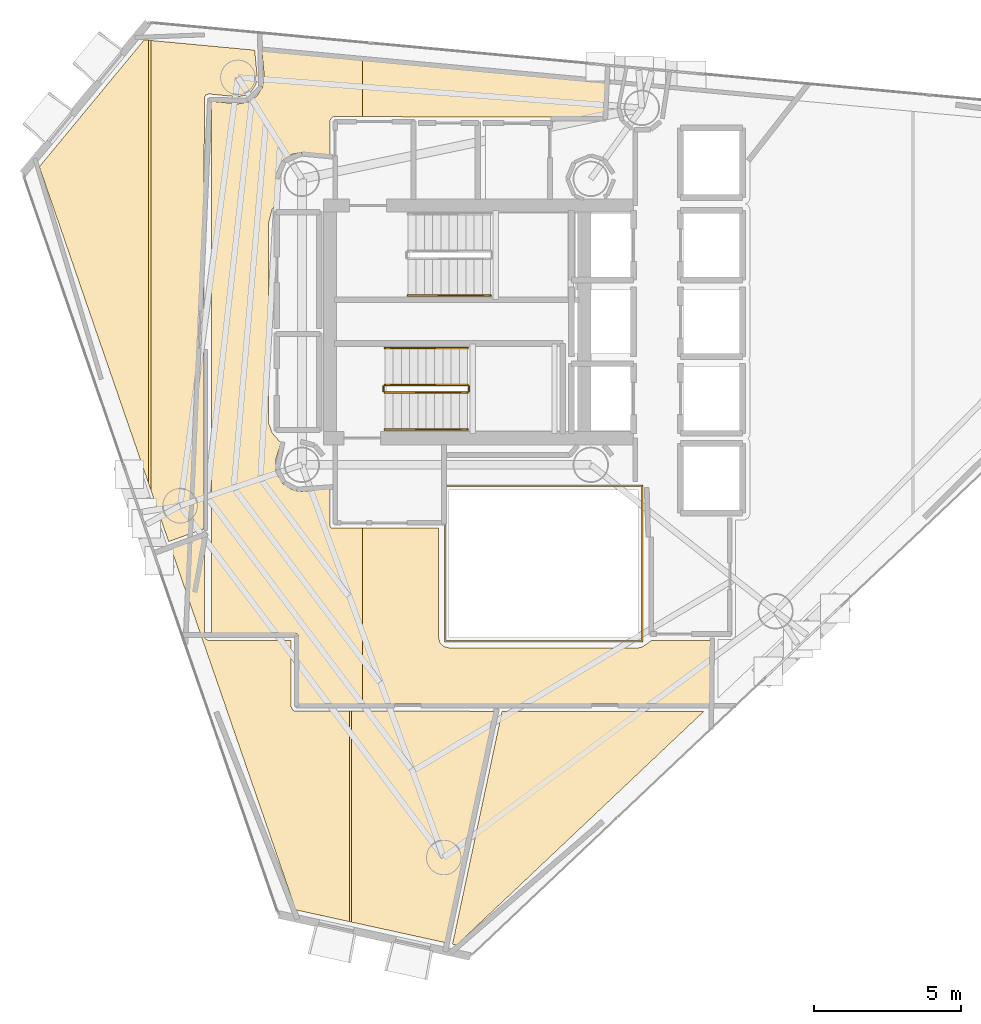
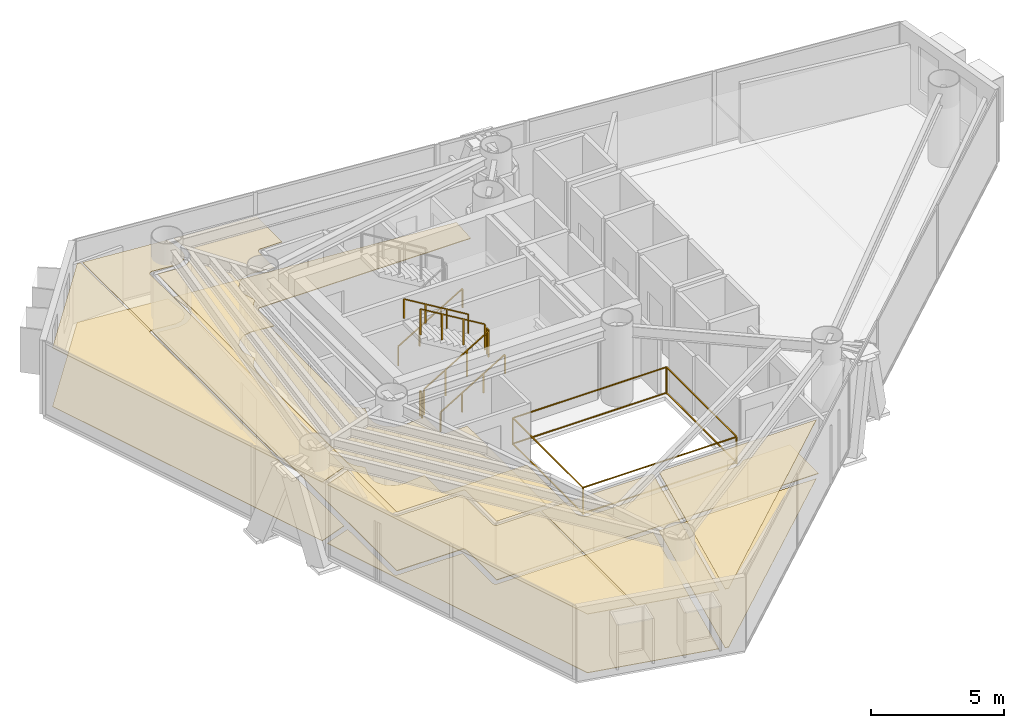
# One storey, part 19 of 20: 10 coverings, 8 railings.
"""IFC4 building model written with IfcOpenShell, lengths in metres."""

from ifc_helpers import new_model, si_unit, direction, frame, origin, origin_2d, place, context, subcontext, project, spatial, polyline, rectangle, outline, extrude, material, layer, layer_set, type_object, element, save


model = new_model("IFC4")

# Units and contexts
model_context = context("Model", 3, precision=1e-05, world=origin(), true_north=direction((0.0, 1.0)))
body_context = subcontext(model_context, "Body", "Model", "MODEL_VIEW")
ifc_project = project(units=[si_unit("LENGTHUNIT", "METRE"), si_unit("AREAUNIT", "SQUARE_METRE"), si_unit("VOLUMEUNIT", "CUBIC_METRE"), si_unit("PLANEANGLEUNIT", "RADIAN"), si_unit("MASSUNIT", "GRAM", prefix="KILO")], contexts=[model_context])

# Site, building, storey
site_placement = place(None, origin())
site = spatial("IfcSite", under=ifc_project, at=site_placement, CompositionType="ELEMENT")
building_placement = place(site_placement, origin())
building = spatial("IfcBuilding", under=site, at=building_placement, Name="Qianvela Tower", CompositionType="ELEMENT")
storey_placement = place(building_placement, frame((0.0, 0.0, 226.199951171875)))
storey = spatial("IfcBuildingStorey", under=building, at=storey_placement, Name="L58", CompositionType="ELEMENT", Elevation=226.199951171875)

# Coverings
ifc_material_1 = material(Name="Perforated Mineral Acoustic Ceiling Tile")
ifc_layer_1 = layer(ifc_material_1, 0.02490234375)
ifc_layer_set_1 = layer_set([ifc_layer_1], Name="Perforated Mineral Acoustic Ceiling Tile")
covering_type_1 = type_object("IfcCoveringType", Name="COV-CEIL-ACOUSTIC-25", PredefinedType="CEILING", material=ifc_layer_set_1)
covering_1_placement = place(storey_placement, frame((0.0, 0.0, 2.695068359375)))
element("IfcCovering", 1, at=covering_1_placement, inside=storey, type_object=covering_type_1, Name="L58 Acoustic Ceiling Bay 1 L58 Floor Corridor", PredefinedType="CEILING", context=body_context, shape_type="SweptSolid", body=[
    extrude(outline(polyline([(27.259033203125, 36.640380859375), (27.262451171875, 36.647705078125), (27.26513671875, 36.655029296875), (27.26708984375, 36.66259765625), (27.32958984375, 36.976318359375), (27.33056640625, 36.984130859375), (27.3310546875, 36.991943359375), (27.33056640625, 36.999755859375), (27.24267578125, 37.89306640625), (30.654296875, 37.57568359375), (30.654296875, 35.659423828125), (29.694091796875, 35.66162109375), (29.686767578125, 35.661376953125), (29.67919921875, 35.660400390625), (29.672119140625, 35.65869140625), (29.6650390625, 35.65625), (29.658203125, 35.6533203125), (29.651611328125, 35.649658203125), (29.6455078125, 35.6455078125), (29.639892578125, 35.640625), (29.634521484375, 35.635498046875), (29.57861328125, 35.57373046875), (29.573974609375, 35.568115234375), (29.56982421875, 35.56201171875), (29.56640625, 35.555419921875), (29.5634765625, 35.548828125), (29.56103515625, 35.541748046875), (29.559326171875, 35.53466796875), (29.558349609375, 35.52734375), (29.55810546875, 35.52001953125), (29.55810546875, 34.35595703125), (28.60791015625, 34.44970703125), (28.60009765625, 34.449951171875), (28.59228515625, 34.44970703125), (28.58447265625, 34.448486328125), (28.2705078125, 34.385986328125), (28.262939453125, 34.384033203125), (28.255615234375, 34.381591796875), (28.24853515625, 34.378173828125), (28.24169921875, 34.3740234375), (27.9755859375, 34.1962890625), (27.969482421875, 34.191650390625), (27.963623046875, 34.186279296875), (27.958251953125, 34.1806640625), (27.95361328125, 34.17431640625), (27.77587890625, 33.908203125), (27.77197265625, 33.901611328125), (27.7685546875, 33.894287109375), (27.765869140625, 33.886962890625), (27.763916015625, 33.87939453125), (27.701416015625, 33.565673828125), (27.700439453125, 33.557861328125), (27.699951171875, 33.550048828125), (27.700439453125, 33.542236328125), (27.716064453125, 33.382080078125), (27.71728515625, 33.37451171875), (27.71923828125, 33.36669921875), (27.865478515625, 32.884521484375), (27.60107421875, 32.52685546875), (27.5966796875, 32.5205078125), (27.593017578125, 32.513427734375), (27.590087890625, 32.50634765625), (27.587890625, 32.4990234375), (27.472412109375, 32.0458984375), (27.47119140625, 32.039306640625), (27.47021484375, 32.03271484375), (27.469970703125, 32.026123046875), (27.469970703125, 25.291259765625), (27.47021484375, 25.2841796875), (27.47119140625, 25.27734375), (27.47265625, 25.2705078125), (27.474853515625, 25.263916015625), (27.59326171875, 24.938232421875), (27.59619140625, 24.93115234375), (27.599853515625, 24.92431640625), (27.604248046875, 24.91796875), (27.609130859375, 24.911865234375), (27.89111328125, 24.599853515625), (27.71923828125, 24.033203125), (27.71728515625, 24.025634765625), (27.716064453125, 24.017822265625), (27.7158203125, 24.010009765625), (27.7158203125, 23.68994140625), (27.716064453125, 23.68212890625), (27.71728515625, 23.67431640625), (27.71923828125, 23.666748046875), (27.765869140625, 23.512939453125), (27.7685546875, 23.505615234375), (27.77197265625, 23.49853515625), (27.77587890625, 23.49169921875), (27.95361328125, 23.2255859375), (27.958251953125, 23.219482421875), (27.963623046875, 23.213623046875), (27.969482421875, 23.208251953125), (27.9755859375, 23.20361328125), (28.24169921875, 23.02587890625), (28.24853515625, 23.02197265625), (28.255615234375, 23.0185546875), (28.262939453125, 23.015869140625), (28.416748046875, 22.96923828125), (28.42431640625, 22.96728515625), (28.43212890625, 22.966064453125), (28.59228515625, 22.950439453125), (28.60009765625, 22.949951171875), (28.60791015625, 22.950439453125), (29.55810546875, 23.0439453125), (29.55810546875, 21.780029296875), (29.558349609375, 21.772216796875), (29.5595703125, 21.764404296875), (29.561279296875, 21.7568359375), (29.564208984375, 21.74951171875), (29.5673828125, 21.7421875), (29.571533203125, 21.735595703125), (29.576171875, 21.729248046875), (29.581298828125, 21.723388671875), (29.587158203125, 21.71826171875), (29.593505859375, 21.71337890625), (29.600341796875, 21.70947265625), (29.607421875, 21.7060546875), (29.61474609375, 21.703369140625), (29.622314453125, 21.701416015625), (29.630126953125, 21.700439453125), (29.637939453125, 21.699951171875), (30.654296875, 21.699951171875), (30.654296875, 15.72998046875), (28.47998046875, 15.72998046875), (28.47998046875, 18.050048828125), (28.4794921875, 18.057861328125), (28.478515625, 18.065673828125), (28.4765625, 18.0732421875), (28.473876953125, 18.08056640625), (28.470703125, 18.087646484375), (28.466552734375, 18.094482421875), (28.4619140625, 18.100830078125), (28.45654296875, 18.106689453125), (28.45068359375, 18.11181640625), (28.4443359375, 18.116455078125), (28.437744140625, 18.12060546875), (28.4306640625, 18.123779296875), (28.423095703125, 18.126708984375), (28.41552734375, 18.12841796875), (28.40771484375, 18.129638671875), (28.39990234375, 18.1298828125), (25.530029296875, 18.1298828125), (25.530029296875, 36.180419921875), (26.423095703125, 36.09228515625), (26.430908203125, 36.092041015625), (26.438720703125, 36.09228515625), (26.446533203125, 36.093505859375), (26.760498046875, 36.156005859375), (26.76806640625, 36.157958984375), (26.775390625, 36.160400390625), (26.782470703125, 36.163818359375), (26.789306640625, 36.16796875), (27.055419921875, 36.345703125), (27.0615234375, 36.350341796875), (27.0673828125, 36.355712890625), (27.07275390625, 36.361328125), (27.077392578125, 36.36767578125), (27.255126953125, 36.6337890625), (27.259033203125, 36.640380859375)])), origin(), (0.0, 0.0, 1.0), 0.02490234375),
])
covering_2_placement = place(storey_placement, frame((0.0, 0.0, 2.695068359375)))
element("IfcCovering", 2, at=covering_2_placement, inside=storey, type_object=covering_type_1, Name="L58 Acoustic Ceiling Bay 1 Social Galley Kitchen L58-01", PredefinedType="CEILING", context=body_context, shape_type="SweptSolid", body=[
    extrude(outline(polyline([(25.290283203125, 21.42626953125), (25.29931640625, 18.01220703125), (25.2998046875, 18.00390625), (25.30126953125, 17.99560546875), (25.30322265625, 17.98779296875), (25.30615234375, 17.97998046875), (25.309814453125, 17.972900390625), (25.314208984375, 17.9658203125), (25.3193359375, 17.95947265625), (25.3251953125, 17.95361328125), (25.33154296875, 17.9482421875), (25.33837890625, 17.943603515625), (25.408935546875, 17.9013671875), (25.41650390625, 17.897216796875), (25.424560546875, 17.894287109375), (25.432861328125, 17.891845703125), (25.44140625, 17.890380859375), (25.449951171875, 17.889892578125), (28.239990234375, 17.889892578125), (28.239990234375, 15.64990234375), (28.240478515625, 15.64208984375), (28.241455078125, 15.634521484375), (28.243408203125, 15.626708984375), (28.24609375, 15.619384765625), (28.24951171875, 15.6123046875), (28.284912109375, 15.5458984375), (28.2890625, 15.5390625), (28.293701171875, 15.53271484375), (28.299072265625, 15.52685546875), (28.3046875, 15.521728515625), (28.31103515625, 15.51708984375), (28.31787109375, 15.512939453125), (28.32470703125, 15.509521484375), (28.332275390625, 15.507080078125), (28.33984375, 15.5048828125), (28.34765625, 15.50390625), (28.35546875, 15.50341796875), (30.21240234375, 15.499755859375), (30.21240234375, 8.3564453125), (28.39404296875, 8.75439453125), (24.16259765625, 21.015869140625), (25.290283203125, 21.42626953125)])), origin(), (0.0, 0.0, 1.0), 0.02490234375),
])
covering_3_placement = place(storey_placement, frame((0.0, 0.0, 2.695068359375)))
element("IfcCovering", 3, at=covering_3_placement, inside=storey, type_object=covering_type_1, Name="L58 Acoustic Ceiling Bay 2 Social Galley Kitchen L58-01", PredefinedType="CEILING", context=body_context, shape_type="SweptSolid", body=[
    extrude(outline(polyline([(35.141357421875, 15.490234375), (33.473388671875, 7.642578125), (30.29248046875, 8.3388671875), (30.29248046875, 15.499755859375), (35.141357421875, 15.490234375)])), origin(), (0.0, 0.0, 1.0), 0.02490234375),
])
covering_4_placement = place(storey_placement, frame((0.0, 0.0, 2.695068359375)))
element("IfcCovering", 4, at=covering_4_placement, inside=storey, type_object=covering_type_1, Name="L58 Acoustic Ceiling Shared Communal Kitchen L58-02", PredefinedType="CEILING", context=body_context, shape_type="SweptSolid", body=[
    extrude(outline(polyline([(35.390869140625, 15.489990234375), (42.23779296875, 15.489990234375), (33.850341796875, 7.560302734375), (33.711669921875, 7.590576171875), (35.390869140625, 15.489990234375)])), origin(), (0.0, 0.0, 1.0), 0.02490234375),
])
covering_5_placement = place(storey_placement, frame((0.0, 0.0, 2.695068359375)))
element("IfcCovering", 5, at=covering_5_placement, inside=storey, type_object=covering_type_1, Name="L58 Acoustic Ceiling Bay 1 Campus Convenience Shop L58-05", PredefinedType="CEILING", context=body_context, shape_type="SweptSolid", body=[
    extrude(outline(polyline([(23.399658203125, 38.25048828125), (23.399658203125, 23.226318359375), (19.69580078125, 33.958740234375), (23.254150390625, 38.263916015625), (23.399658203125, 38.25048828125)])), origin(), (0.0, 0.0, 1.0), 0.02490234375),
])
covering_6_placement = place(storey_placement, frame((0.0, 0.0, 2.695068359375)))
element("IfcCovering", 6, at=covering_6_placement, inside=storey, type_object=covering_type_1, Name="L58 Acoustic Ceiling Bay 2 Campus Convenience Shop L58-05", PredefinedType="CEILING", context=body_context, shape_type="SweptSolid", body=[
    extrude(outline(polyline([(27.00048828125, 37.91552734375), (27.089599609375, 37.0), (27.037841796875, 36.740478515625), (26.8955078125, 36.527587890625), (26.682373046875, 36.385009765625), (26.423095703125, 36.33349609375), (25.457763671875, 36.42822265625), (25.448974609375, 36.4287109375), (25.440185546875, 36.427978515625), (25.431396484375, 36.426513671875), (25.423095703125, 36.423828125), (25.372314453125, 36.40576171875), (25.365478515625, 36.403076171875), (25.35888671875, 36.399658203125), (25.352783203125, 36.3955078125), (25.346923828125, 36.39111328125), (25.341552734375, 36.385986328125), (25.3369140625, 36.38037109375), (25.33251953125, 36.37451171875), (25.32861328125, 36.3681640625), (25.2998046875, 36.314208984375), (25.29638671875, 36.30712890625), (25.293701171875, 36.2998046875), (25.2919921875, 36.2919921875), (25.290771484375, 36.2841796875), (25.290283203125, 36.276611328125), (25.2900390625, 21.685791015625), (24.0830078125, 21.246337890625), (23.479736328125, 22.99462890625), (23.479736328125, 38.242919921875), (27.00048828125, 37.91552734375)])), origin(), (0.0, 0.0, 1.0), 0.02490234375),
])
ifc_material_2 = material(Name="Engineered Acoustic Oak Timber Flooring", Category="wood")
ifc_layer_2 = layer(ifc_material_2, 0.02001953125)
ifc_layer_set_2 = layer_set([ifc_layer_2], Name="Engineered Acoustic Oak Timber Flooring")
covering_type_2 = type_object("IfcCoveringType", Name="COV-FLOOR-OAK-20", PredefinedType="FLOORING", material=ifc_layer_set_2)
covering_7_placement = place(storey_placement, origin())
element("IfcCovering", 7, at=covering_7_placement, inside=storey, type_object=covering_type_2, Name="L58 Finish Flooring Social Galley Kitchen L58-01", PredefinedType="FLOORING", context=body_context, shape_type="SweptSolid", body=[
    extrude(outline(polyline([(24.16259765625, 21.015869140625), (25.290283203125, 21.42626953125), (25.29931640625, 18.01220703125), (25.2998046875, 18.00390625), (25.30126953125, 17.99560546875), (25.30322265625, 17.98779296875), (25.30615234375, 17.97998046875), (25.309814453125, 17.972900390625), (25.314208984375, 17.9658203125), (25.3193359375, 17.95947265625), (25.3251953125, 17.95361328125), (25.33154296875, 17.9482421875), (25.33837890625, 17.943603515625), (25.408935546875, 17.9013671875), (25.41650390625, 17.897216796875), (25.424560546875, 17.894287109375), (25.432861328125, 17.891845703125), (25.44140625, 17.890380859375), (25.449951171875, 17.889892578125), (28.239990234375, 17.889892578125), (28.239990234375, 15.64990234375), (28.240478515625, 15.64208984375), (28.241455078125, 15.634521484375), (28.243408203125, 15.626708984375), (28.24609375, 15.619384765625), (28.24951171875, 15.6123046875), (28.284912109375, 15.5458984375), (28.2890625, 15.5390625), (28.293701171875, 15.53271484375), (28.299072265625, 15.52685546875), (28.3046875, 15.521728515625), (28.31103515625, 15.51708984375), (28.31787109375, 15.512939453125), (28.32470703125, 15.509521484375), (28.332275390625, 15.507080078125), (28.33984375, 15.5048828125), (28.34765625, 15.50390625), (28.35546875, 15.50341796875), (35.141357421875, 15.490234375), (33.473388671875, 7.642578125), (28.39404296875, 8.75439453125), (24.16259765625, 21.015869140625)])), origin(), (0.0, 0.0, 1.0), 0.02001953125),
])
covering_8_placement = place(storey_placement, origin())
element("IfcCovering", 8, at=covering_8_placement, inside=storey, type_object=covering_type_2, Name="L58 Finish Flooring Shared Communal Kitchen L58-02", PredefinedType="FLOORING", context=body_context, shape_type="SweptSolid", body=[
    extrude(outline(polyline([(35.390869140625, 15.489990234375), (42.23779296875, 15.489990234375), (33.850341796875, 7.560302734375), (33.711669921875, 7.590576171875), (35.390869140625, 15.489990234375)])), origin(), (0.0, 0.0, 1.0), 0.02001953125),
])
covering_9_placement = place(storey_placement, origin())
element("IfcCovering", 9, at=covering_9_placement, inside=storey, type_object=covering_type_2, Name="L58 Finish Flooring Campus Convenience Shop L58-05", PredefinedType="FLOORING", context=body_context, shape_type="SweptSolid", body=[
    extrude(outline(polyline([(23.254150390625, 38.263916015625), (27.00048828125, 37.91552734375), (27.089599609375, 37.0), (27.037841796875, 36.740478515625), (26.8955078125, 36.527587890625), (26.682373046875, 36.385009765625), (26.423095703125, 36.33349609375), (25.457763671875, 36.42822265625), (25.448974609375, 36.4287109375), (25.440185546875, 36.427978515625), (25.431396484375, 36.426513671875), (25.423095703125, 36.423828125), (25.372314453125, 36.40576171875), (25.365478515625, 36.403076171875), (25.35888671875, 36.399658203125), (25.352783203125, 36.3955078125), (25.346923828125, 36.39111328125), (25.341552734375, 36.385986328125), (25.3369140625, 36.38037109375), (25.33251953125, 36.37451171875), (25.32861328125, 36.3681640625), (25.2998046875, 36.314208984375), (25.29638671875, 36.30712890625), (25.293701171875, 36.2998046875), (25.2919921875, 36.2919921875), (25.290771484375, 36.2841796875), (25.290283203125, 36.276611328125), (25.2900390625, 21.685791015625), (24.0830078125, 21.246337890625), (19.69580078125, 33.958740234375), (23.254150390625, 38.263916015625)])), origin(), (0.0, 0.0, 1.0), 0.02001953125),
])
ifc_material_3 = material(Name="Honed Stone Terrazzo Flooring", Category="masonry")
ifc_layer_3 = layer(ifc_material_3, 0.030029296875)
ifc_layer_set_3 = layer_set([ifc_layer_3], Name="Honed Stone Terrazzo Flooring")
covering_type_3 = type_object("IfcCoveringType", Name="COV-FLOOR-TERRAZZO-30", PredefinedType="FLOORING", material=ifc_layer_set_3)
covering_10_placement = place(storey_placement, origin())
element("IfcCovering", 10, at=covering_10_placement, inside=storey, type_object=covering_type_3, Name="L58 Finish Flooring L58 Floor Corridor", PredefinedType="FLOORING", context=body_context, shape_type="SweptSolid", body=[
    extrude(outline(polyline([(27.255126953125, 36.6337890625), (27.259033203125, 36.640380859375), (27.262451171875, 36.647705078125), (27.26513671875, 36.655029296875), (27.26708984375, 36.66259765625), (27.32958984375, 36.976318359375), (27.33056640625, 36.984130859375), (27.3310546875, 36.991943359375), (27.33056640625, 36.999755859375), (27.24267578125, 37.89306640625), (38.9013671875, 36.808837890625), (38.84716796875, 35.64013671875), (29.694091796875, 35.66162109375), (29.686767578125, 35.661376953125), (29.67919921875, 35.660400390625), (29.672119140625, 35.65869140625), (29.6650390625, 35.65625), (29.658203125, 35.6533203125), (29.651611328125, 35.649658203125), (29.6455078125, 35.6455078125), (29.639892578125, 35.640625), (29.634521484375, 35.635498046875), (29.57861328125, 35.57373046875), (29.573974609375, 35.568115234375), (29.56982421875, 35.56201171875), (29.56640625, 35.555419921875), (29.5634765625, 35.548828125), (29.56103515625, 35.541748046875), (29.559326171875, 35.53466796875), (29.558349609375, 35.52734375), (29.55810546875, 35.52001953125), (29.55810546875, 34.35595703125), (28.60791015625, 34.44970703125), (28.60009765625, 34.449951171875), (28.59228515625, 34.44970703125), (28.58447265625, 34.448486328125), (28.2705078125, 34.385986328125), (28.262939453125, 34.384033203125), (28.255615234375, 34.381591796875), (28.24853515625, 34.378173828125), (28.24169921875, 34.3740234375), (27.9755859375, 34.1962890625), (27.969482421875, 34.191650390625), (27.963623046875, 34.186279296875), (27.958251953125, 34.1806640625), (27.95361328125, 34.17431640625), (27.77587890625, 33.908203125), (27.77197265625, 33.901611328125), (27.7685546875, 33.894287109375), (27.765869140625, 33.886962890625), (27.763916015625, 33.87939453125), (27.701416015625, 33.565673828125), (27.700439453125, 33.557861328125), (27.699951171875, 33.550048828125), (27.700439453125, 33.542236328125), (27.716064453125, 33.382080078125), (27.71728515625, 33.37451171875), (27.71923828125, 33.36669921875), (27.865478515625, 32.884521484375), (27.60107421875, 32.52685546875), (27.5966796875, 32.5205078125), (27.593017578125, 32.513427734375), (27.590087890625, 32.50634765625), (27.587890625, 32.4990234375), (27.472412109375, 32.0458984375), (27.47119140625, 32.039306640625), (27.47021484375, 32.03271484375), (27.469970703125, 32.026123046875), (27.469970703125, 25.291259765625), (27.47021484375, 25.2841796875), (27.47119140625, 25.27734375), (27.47265625, 25.2705078125), (27.474853515625, 25.263916015625), (27.59326171875, 24.938232421875), (27.59619140625, 24.93115234375), (27.599853515625, 24.92431640625), (27.604248046875, 24.91796875), (27.609130859375, 24.911865234375), (27.89111328125, 24.599853515625), (27.71923828125, 24.033203125), (27.71728515625, 24.025634765625), (27.716064453125, 24.017822265625), (27.7158203125, 24.010009765625), (27.7158203125, 23.68994140625), (27.716064453125, 23.68212890625), (27.71728515625, 23.67431640625), (27.71923828125, 23.666748046875), (27.765869140625, 23.512939453125), (27.7685546875, 23.505615234375), (27.77197265625, 23.49853515625), (27.77587890625, 23.49169921875), (27.95361328125, 23.2255859375), (27.958251953125, 23.219482421875), (27.963623046875, 23.213623046875), (27.969482421875, 23.208251953125), (27.9755859375, 23.20361328125), (28.24169921875, 23.02587890625), (28.24853515625, 23.02197265625), (28.255615234375, 23.0185546875), (28.262939453125, 23.015869140625), (28.416748046875, 22.96923828125), (28.42431640625, 22.96728515625), (28.43212890625, 22.966064453125), (28.59228515625, 22.950439453125), (28.60009765625, 22.949951171875), (28.60791015625, 22.950439453125), (29.55810546875, 23.0439453125), (29.55810546875, 21.780029296875), (29.558349609375, 21.772216796875), (29.5595703125, 21.764404296875), (29.561279296875, 21.7568359375), (29.564208984375, 21.74951171875), (29.5673828125, 21.7421875), (29.571533203125, 21.735595703125), (29.576171875, 21.729248046875), (29.581298828125, 21.723388671875), (29.587158203125, 21.71826171875), (29.593505859375, 21.71337890625), (29.600341796875, 21.70947265625), (29.607421875, 21.7060546875), (29.61474609375, 21.703369140625), (29.622314453125, 21.701416015625), (29.630126953125, 21.700439453125), (29.637939453125, 21.699951171875), (33.239990234375, 21.699951171875), (33.239990234375, 18.0), (33.240478515625, 17.990234375), (33.242431640625, 17.980712890625), (33.275390625, 17.8486328125), (33.277587890625, 17.841796875), (33.2802734375, 17.8349609375), (33.283447265625, 17.82861328125), (33.287353515625, 17.822509765625), (33.29150390625, 17.81689453125), (33.29638671875, 17.811279296875), (33.411376953125, 17.696533203125), (33.41796875, 17.690673828125), (33.4248046875, 17.685791015625), (33.432373046875, 17.681396484375), (33.440185546875, 17.677978515625), (33.448486328125, 17.675537109375), (33.58056640625, 17.642333984375), (33.5869140625, 17.64111328125), (33.593505859375, 17.640380859375), (33.60009765625, 17.639892578125), (40.0, 17.639892578125), (40.006591796875, 17.640380859375), (40.012939453125, 17.64111328125), (40.019287109375, 17.642333984375), (40.1513671875, 17.675537109375), (40.15869140625, 17.677734375), (40.166015625, 17.6806640625), (40.172607421875, 17.68408203125), (40.17919921875, 17.6884765625), (40.45947265625, 17.89306640625), (42.469970703125, 17.899658203125), (42.469970703125, 15.72998046875), (28.47998046875, 15.72998046875), (28.47998046875, 18.050048828125), (28.4794921875, 18.057861328125), (28.478515625, 18.065673828125), (28.4765625, 18.0732421875), (28.473876953125, 18.08056640625), (28.470703125, 18.087646484375), (28.466552734375, 18.094482421875), (28.4619140625, 18.100830078125), (28.45654296875, 18.106689453125), (28.45068359375, 18.11181640625), (28.4443359375, 18.116455078125), (28.437744140625, 18.12060546875), (28.4306640625, 18.123779296875), (28.423095703125, 18.126708984375), (28.41552734375, 18.12841796875), (28.40771484375, 18.129638671875), (28.39990234375, 18.1298828125), (25.530029296875, 18.1298828125), (25.530029296875, 36.180419921875), (26.423095703125, 36.09228515625), (26.430908203125, 36.092041015625), (26.438720703125, 36.09228515625), (26.446533203125, 36.093505859375), (26.760498046875, 36.156005859375), (26.76806640625, 36.157958984375), (26.775390625, 36.160400390625), (26.782470703125, 36.163818359375), (26.789306640625, 36.16796875), (27.055419921875, 36.345703125), (27.0615234375, 36.350341796875), (27.0673828125, 36.355712890625), (27.07275390625, 36.361328125), (27.077392578125, 36.36767578125), (27.255126953125, 36.6337890625)])), origin(), (0.0, 0.0, 1.0), 0.030029296875),
])

# Railings
ifc_material_4 = material(Name="Laminated Safety Glass and Stainless Steel 316", Category="steel")
railing_type_1 = type_object("IfcRailingType", Name="RL-ATRIUM-GUARD-1250", PredefinedType="GUARDRAIL", material=ifc_material_4)
railing_1_placement = place(storey_placement, frame((33.4599609375, 17.860107421875, 0.0)))
element("IfcRailing", 11, at=railing_1_placement, inside=storey, type_object=railing_type_1, Name="L58 Atrium Edge Guardrail 1", PredefinedType="GUARDRAIL", context=body_context, shape_type="SweptSolid", body=[
    extrude(rectangle(XDim=0.050048828125, YDim=0.0400390625, at=origin_2d()), frame((0.0, 0.0, 1.22998046875), z_axis=(0.0, 1.0, 0.0), x_axis=(-1.0, 0.0, 0.0)), (0.0, 0.0, 1.0), 5.27978515625),
    extrude(rectangle(XDim=0.050048828125, YDim=0.0400390625, at=origin_2d()), frame((0.0, 0.0, 0.050048828125), z_axis=(0.0, 1.0, 0.0), x_axis=(-1.0, 0.0, 0.0)), (0.0, 0.0, 1.0), 5.27978515625),
    extrude(rectangle(XDim=0.050048828125, YDim=0.0400390625, at=origin_2d()), frame((0.0, 5.27978515625, 1.22998046875), z_axis=(1.0, 0.0, 0.0), x_axis=(0.0, 1.0, 0.0)), (0.0, 0.0, 1.0), 6.679931640625),
    extrude(rectangle(XDim=0.050048828125, YDim=0.0400390625, at=origin_2d()), frame((0.0, 5.27978515625, 0.050048828125), z_axis=(1.0, 0.0, 0.0), x_axis=(0.0, 1.0, 0.0)), (0.0, 0.0, 1.0), 6.679931640625),
    extrude(rectangle(XDim=0.050048828125, YDim=0.0400390625, at=origin_2d()), frame((6.679931640625, 5.27978515625, 1.22998046875), z_axis=(0.0, -1.0, 0.0), x_axis=(1.0, 0.0, 0.0)), (0.0, 0.0, 1.0), 5.27978515625),
    extrude(rectangle(XDim=0.050048828125, YDim=0.0400390625, at=origin_2d()), frame((6.679931640625, 5.27978515625, 0.050048828125), z_axis=(0.0, -1.0, 0.0), x_axis=(1.0, 0.0, 0.0)), (0.0, 0.0, 1.0), 5.27978515625),
    extrude(rectangle(XDim=0.050048828125, YDim=0.0400390625, at=origin_2d()), frame((6.679931640625, 0.0, 1.22998046875), z_axis=(-1.0, 0.0, 0.0), x_axis=(0.0, -1.0, 0.0)), (0.0, 0.0, 1.0), 6.679931640625),
    extrude(rectangle(XDim=0.050048828125, YDim=0.0400390625, at=origin_2d()), frame((6.679931640625, 0.0, 0.050048828125), z_axis=(-1.0, 0.0, 0.0), x_axis=(0.0, -1.0, 0.0)), (0.0, 0.0, 1.0), 6.679931640625),
    extrude(rectangle(XDim=0.050048828125, YDim=0.050048828125, at=origin_2d()), origin(), (0.0, 0.0, 1.0), 1.2099609375),
    extrude(rectangle(XDim=0.050048828125, YDim=0.050048828125, at=origin_2d()), frame((0.0, 5.27978515625, 0.0)), (0.0, 0.0, 1.0), 1.2099609375),
    extrude(rectangle(XDim=0.050048828125, YDim=0.050048828125, at=origin_2d()), frame((6.679931640625, 5.27978515625, 0.0)), (0.0, 0.0, 1.0), 1.2099609375),
    extrude(rectangle(XDim=0.050048828125, YDim=0.050048828125, at=origin_2d()), frame((6.679931640625, 0.0, 0.0)), (0.0, 0.0, 1.0), 1.2099609375),
])
ifc_material_5 = material(Name="Painted Tubular Steel Q355B", Category="steel")
railing_type_2 = type_object("IfcRailingType", Name="RL-STAIR-GUARD-1200", PredefinedType="GUARDRAIL", material=ifc_material_5)
railing_2_placement = place(storey_placement, frame((31.419921875, 26.300048828125, 0.168212890625)))
element("IfcRailing", 12, at=railing_2_placement, inside=storey, type_object=railing_type_2, Name="L58 ST-2 stair guard 1", PredefinedType="GUARDRAIL", context=body_context, shape_type="SweptSolid", body=[
    extrude(rectangle(XDim=0.050048828125, YDim=0.0400390625, at=origin_2d()), frame((0.0, 0.0, 1.179931640625), z_axis=(0.857242210791, 0.0, 0.514913383045), x_axis=(0.0, 1.0, 0.0)), (0.0, 0.0, 1.0), 3.266357421875),
    extrude(rectangle(XDim=0.050048828125, YDim=0.050048828125, at=origin_2d()), origin(), (0.0, 0.0, 1.0), 1.159912109375),
    extrude(rectangle(XDim=0.050048828125, YDim=0.050048828125, at=origin_2d()), frame((0.933349609375, 0.0, 0.560546875)), (0.0, 0.0, 1.0), 1.159912109375),
    extrude(rectangle(XDim=0.050048828125, YDim=0.050048828125, at=origin_2d()), frame((1.86669921875, 0.0, 1.121337890625)), (0.0, 0.0, 1.0), 1.159912109375),
    extrude(rectangle(XDim=0.050048828125, YDim=0.050048828125, at=origin_2d()), frame((2.800048828125, 0.0, 1.681884765625)), (0.0, 0.0, 1.0), 1.159912109375),
])
railing_3_placement = place(storey_placement, frame((34.27001953125, 26.35009765625, 1.85009765625)))
element("IfcRailing", 13, at=railing_3_placement, inside=storey, type_object=railing_type_2, Name="L58 ST-2 stair guard 2", PredefinedType="GUARDRAIL", context=body_context, shape_type="SweptSolid", body=[
    extrude(rectangle(XDim=0.050048828125, YDim=0.0400390625, at=origin_2d()), frame((0.0, 0.0, 1.179931640625), z_axis=(0.0, 1.0, 0.0), x_axis=(-1.0, 0.0, 0.0)), (0.0, 0.0, 1.0), 0.159912109375),
    extrude(rectangle(XDim=0.050048828125, YDim=0.050048828125, at=origin_2d()), origin(), (0.0, 0.0, 1.0), 1.159912109375),
    extrude(rectangle(XDim=0.050048828125, YDim=0.050048828125, at=origin_2d()), frame((0.0, 0.159912109375, 0.0)), (0.0, 0.0, 1.0), 1.159912109375),
])
railing_4_placement = place(storey_placement, frame((34.219970703125, 26.56005859375, 2.018310546875)))
element("IfcRailing", 14, at=railing_4_placement, inside=storey, type_object=railing_type_2, Name="L58 ST-2 stair guard 3", PredefinedType="GUARDRAIL", context=body_context, shape_type="SweptSolid", body=[
    extrude(rectangle(XDim=0.050048828125, YDim=0.0400390625, at=origin_2d()), frame((0.0, 0.0, 1.179931640625), z_axis=(-0.857275202839, 0.0, 0.514858452973), x_axis=(0.0, -1.0, 0.0)), (0.0, 0.0, 1.0), 3.26611328125),
    extrude(rectangle(XDim=0.050048828125, YDim=0.050048828125, at=origin_2d()), origin(), (0.0, 0.0, 1.0), 1.159912109375),
    extrude(rectangle(XDim=0.050048828125, YDim=0.050048828125, at=origin_2d()), frame((-0.933349609375, 0.0, 0.560546875)), (0.0, 0.0, 1.0), 1.159912109375),
    extrude(rectangle(XDim=0.050048828125, YDim=0.050048828125, at=origin_2d()), frame((-1.86669921875, 0.0, 1.12109375)), (0.0, 0.0, 1.0), 1.159912109375),
    extrude(rectangle(XDim=0.050048828125, YDim=0.050048828125, at=origin_2d()), frame((-2.800048828125, 0.0, 1.681640625)), (0.0, 0.0, 1.0), 1.159912109375),
])
railing_5_placement = place(storey_placement, frame((31.3701171875, 26.35009765625, 0.0)))
element("IfcRailing", 15, at=railing_5_placement, inside=storey, type_object=railing_type_2, Name="L58 ST-2 stair guard 4", PredefinedType="GUARDRAIL", context=body_context, shape_type="SweptSolid", body=[
    extrude(rectangle(XDim=0.050048828125, YDim=0.0400390625, at=origin_2d()), frame((0.0, 0.0, 1.179931640625), z_axis=(0.0, 1.0, 0.0), x_axis=(-1.0, 0.0, 0.0)), (0.0, 0.0, 1.0), 0.159912109375),
    extrude(rectangle(XDim=0.050048828125, YDim=0.050048828125, at=origin_2d()), origin(), (0.0, 0.0, 1.0), 1.159912109375),
    extrude(rectangle(XDim=0.050048828125, YDim=0.050048828125, at=origin_2d()), frame((0.0, 0.159912109375, 0.0)), (0.0, 0.0, 1.0), 1.159912109375),
])
ifc_material_6 = material(Name="Brushed Stainless Steel 304", Category="steel")
railing_type_3 = type_object("IfcRailingType", Name="RL-STAIR-HANDRAIL-900", PredefinedType="HANDRAIL", material=ifc_material_6)
for number, where, name in (
    (16, (32.199951171875, 29.590087890625, 0.168212890625), "L58 ST-1 stair handrail 1"),
    (17, (31.419921875, 25.050048828125, 0.168212890625), "L58 ST-2 stair handrail 1"),
):
    element("IfcRailing", number, at=place(storey_placement, frame(where)), inside=storey, type_object=railing_type_3, Name=name, PredefinedType="HANDRAIL", context=body_context, shape_type="SweptSolid", body=[
        extrude(rectangle(XDim=0.050048828125, YDim=0.0400390625, at=origin_2d()), frame((0.0, 0.0, 0.8798828125), z_axis=(0.857242210791, 0.0, 0.514913383045), x_axis=(0.0, 1.0, 0.0)), (0.0, 0.0, 1.0), 3.266357421875),
        extrude(rectangle(XDim=0.050048828125, YDim=0.050048828125, at=origin_2d()), origin(), (0.0, 0.0, 1.0), 0.85986328125),
        extrude(rectangle(XDim=0.050048828125, YDim=0.050048828125, at=origin_2d()), frame((0.933349609375, 0.0, 0.560546875)), (0.0, 0.0, 1.0), 0.85986328125),
        extrude(rectangle(XDim=0.050048828125, YDim=0.050048828125, at=origin_2d()), frame((1.86669921875, 0.0, 1.121337890625)), (0.0, 0.0, 1.0), 0.85986328125),
        extrude(rectangle(XDim=0.050048828125, YDim=0.050048828125, at=origin_2d()), frame((2.800048828125, 0.0, 1.681884765625)), (0.0, 0.0, 1.0), 0.85986328125),
    ])
railing_6_placement = place(storey_placement, frame((34.219970703125, 27.81005859375, 2.018310546875)))
element("IfcRailing", 18, at=railing_6_placement, inside=storey, type_object=railing_type_3, Name="L58 ST-2 stair handrail 2", PredefinedType="HANDRAIL", context=body_context, shape_type="SweptSolid", body=[
    extrude(rectangle(XDim=0.050048828125, YDim=0.0400390625, at=origin_2d()), frame((0.0, 0.0, 0.8798828125), z_axis=(-0.857275202839, 0.0, 0.514858452973), x_axis=(0.0, -1.0, 0.0)), (0.0, 0.0, 1.0), 3.26611328125),
    extrude(rectangle(XDim=0.050048828125, YDim=0.050048828125, at=origin_2d()), origin(), (0.0, 0.0, 1.0), 0.85986328125),
    extrude(rectangle(XDim=0.050048828125, YDim=0.050048828125, at=origin_2d()), frame((-0.933349609375, 0.0, 0.560546875)), (0.0, 0.0, 1.0), 0.85986328125),
    extrude(rectangle(XDim=0.050048828125, YDim=0.050048828125, at=origin_2d()), frame((-1.86669921875, 0.0, 1.12109375)), (0.0, 0.0, 1.0), 0.85986328125),
    extrude(rectangle(XDim=0.050048828125, YDim=0.050048828125, at=origin_2d()), frame((-2.800048828125, 0.0, 1.681640625)), (0.0, 0.0, 1.0), 0.85986328125),
])

save(model, "model.ifc")
